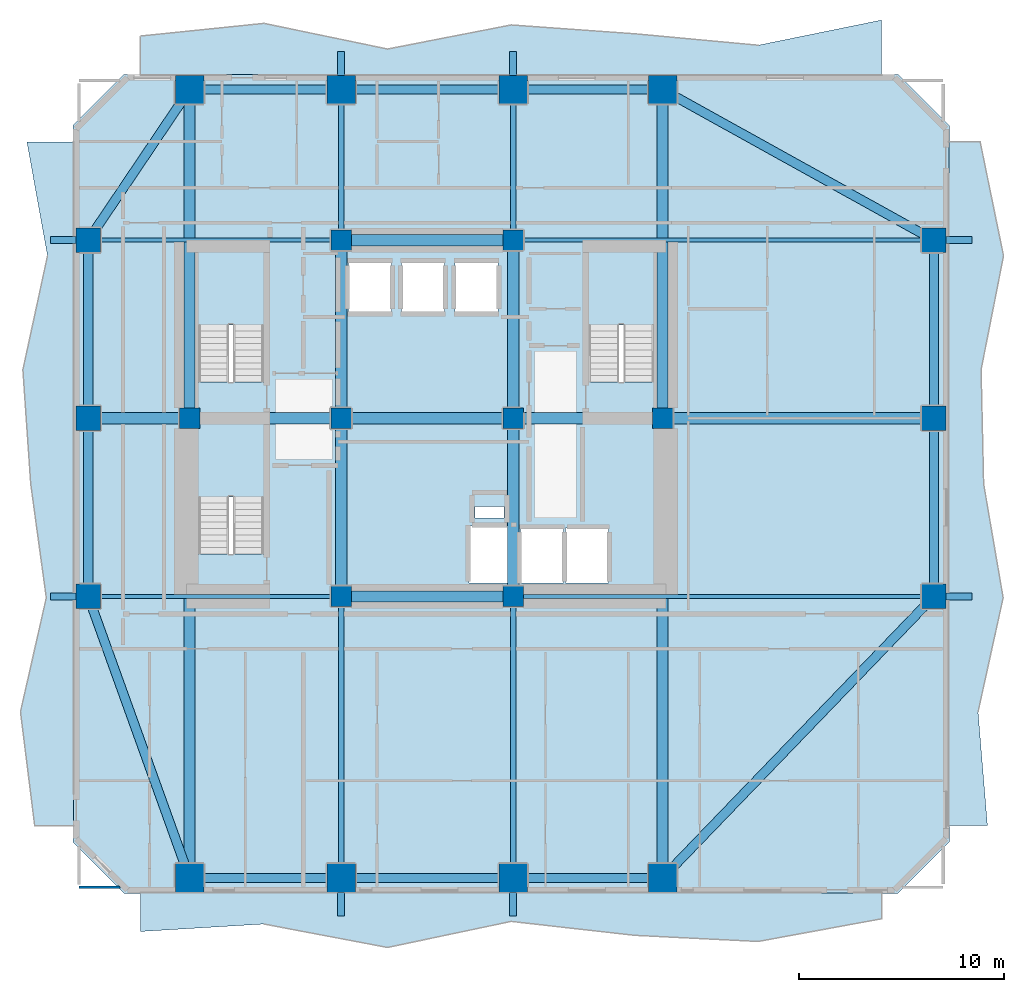
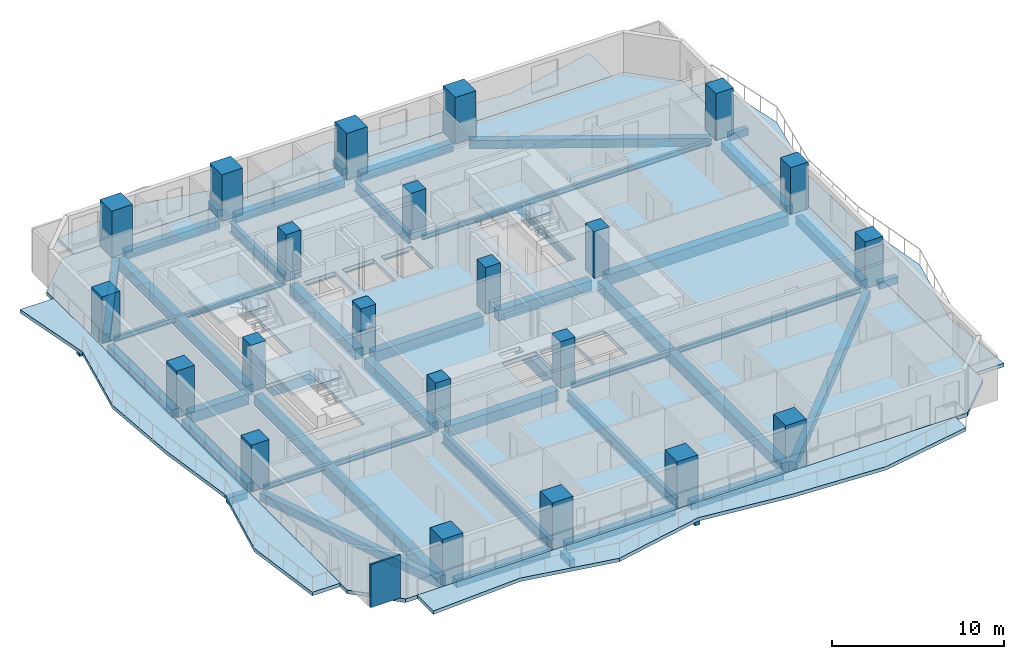
# One storey, part 1 of 10: 45 beams, 22 columns, 8 slabs, 1 wall, 3 elements without a shape of their own.
"""IFC4 building model written with IfcOpenShell, lengths in metres."""

from ifc_helpers import new_model, si_unit, direction, frame, frame_2d, origin, origin_2d, place, context, subcontext, project, spatial, polyline, rectangle, i_section, outline, extrude, material, layer, layer_set, material_profile, profile_set, type_object, element, aggregate, save


model = new_model("IFC4")

# Units and contexts
model_context = context("Model", 3, precision=1e-05, world=origin(), true_north=direction((0.0, 1.0)))
body_context = subcontext(model_context, "Body", "Model", "MODEL_VIEW")
ifc_project = project(units=[si_unit("LENGTHUNIT", "METRE"), si_unit("AREAUNIT", "SQUARE_METRE"), si_unit("VOLUMEUNIT", "CUBIC_METRE"), si_unit("PLANEANGLEUNIT", "RADIAN"), si_unit("MASSUNIT", "GRAM", prefix="KILO")], contexts=[model_context])

# Site, building, storey
site_placement = place(None, origin())
site = spatial("IfcSite", under=ifc_project, at=site_placement, CompositionType="ELEMENT")
building_placement = place(site_placement, origin())
building = spatial("IfcBuilding", under=site, at=building_placement, Name="Solanera Arch Residences", CompositionType="ELEMENT")
storey_placement = place(building_placement, frame((0.0, 0.0, 48.56005859375)))
storey = spatial("IfcBuildingStorey", under=building, at=storey_placement, Name="L13", CompositionType="ELEMENT", Elevation=48.56005859375)

# Columns
ifc_material_1 = material(Name="Concrete C55/67 (f'c = 60 MPa)", Category="concrete")
ifc_material_profile_1 = material_profile(ifc_material_1, rectangle(XDim=1.0, YDim=1.0, at=origin_2d()))
ifc_profile_set_1 = profile_set([ifc_material_profile_1], Name="Concrete C55/67 (f'c = 60 MPa)")
column_type_1 = type_object("IfcColumnType", Name="Structural Column RC-COL-1000X1000", PredefinedType="COLUMN", material=ifc_profile_set_1)
for number, where, z_axis, x_axis, name in (
    (1, (20.800048828125, 22.0, 0.0), (0.0, 0.0, 1.0), (1.0, 0.0, 0.0), "COL-L13-CB-SW"),
    (2, (29.199951171875, 22.0, 0.0), (0.0, 0.0, 1.0), (1.0, 0.0, 0.0), "COL-L13-CB-SE"),
    (3, (20.800048828125, 39.39990234375, 0.0), (0.0, 0.0, 1.0), (1.0, 0.0, 0.0), "COL-L13-CB-NW"),
    (4, (29.199951171875, 39.39990234375, 0.0), (0.0, 0.0, 1.0), (1.0, 0.0, 0.0), "COL-L13-CB-NE"),
    (5, (13.39990234375, 30.699951171875, 0.0), (0.0, 0.0, 1.0), (1.0, 0.0, 0.0), "COL-L13-CB-WW"),
    (6, (36.5, 30.699951171875, 0.0), (0.0, 0.0, 1.0), (1.0, 0.0, 0.0), "COL-L13-CB-EE"),
    (7, (20.800048828125, 30.699951171875, 0.0), (0.0, 0.0, 1.0), (1.0, 0.0, 0.0), "COL-L13-CORE-W"),
    (8, (29.199951171875, 30.699951171875, 0.0), (0.0, 0.0, 1.0), (1.0, 0.0, 0.0), "COL-L13-CORE-E"),
):
    element("IfcColumn", number, at=place(storey_placement, frame(where, z_axis=z_axis, x_axis=x_axis)), inside=storey, type_object=column_type_1, Name=name, PredefinedType="COLUMN", context=body_context, shape_type="SweptSolid", body=[
        extrude(rectangle(XDim=1.0, YDim=1.0, at=origin_2d()), origin(), (0.0, 0.0, 1.0), 3.31982421875),
    ])
ifc_material_2 = material(Name="Concrete C55/67 (f'c = 60 MPa)", Category="concrete")
ifc_material_profile_2 = material_profile(ifc_material_2, rectangle(XDim=1.199951171875, YDim=1.199951171875, at=origin_2d()))
ifc_profile_set_2 = profile_set([ifc_material_profile_2], Name="Concrete C55/67 (f'c = 60 MPa)")
column_type_2 = type_object("IfcColumnType", Name="Structural Column RC-COL-1200X1200", PredefinedType="COLUMN", material=ifc_profile_set_2)
for number, where, z_axis, x_axis, name in (
    (9, (8.449951171875, 22.0, 0.0), (0.0, 0.0, 1.0), (1.0, 0.0, 0.0), "COL-L13-TWR-09"),
    (10, (49.75, 22.0, 0.0), (0.0, 0.0, 1.0), (1.0, 0.0, 0.0), "COL-L13-TWR-10"),
    (11, (8.449951171875, 30.699951171875, 0.0), (0.0, 0.0, 1.0), (1.0, 0.0, 0.0), "COL-L13-TWR-11"),
    (12, (49.75, 30.699951171875, 0.0), (0.0, 0.0, 1.0), (1.0, 0.0, 0.0), "COL-L13-TWR-12"),
    (13, (8.449951171875, 39.39990234375, 0.0), (0.0, 0.0, 1.0), (1.0, 0.0, 0.0), "COL-L13-TWR-13"),
    (14, (49.75, 39.39990234375, 0.0), (0.0, 0.0, 1.0), (1.0, 0.0, 0.0), "COL-L13-TWR-14"),
):
    element("IfcColumn", number, at=place(storey_placement, frame(where, z_axis=z_axis, x_axis=x_axis)), inside=storey, type_object=column_type_2, Name=name, PredefinedType="COLUMN", context=body_context, shape_type="SweptSolid", body=[
        extrude(rectangle(XDim=1.199951171875, YDim=1.199951171875, at=origin_2d()), origin(), (0.0, 0.0, 1.0), 3.31982421875),
    ])
ifc_material_3 = material(Name="Concrete C55/67 (f'c = 60 MPa)", Category="concrete")
ifc_material_profile_3 = material_profile(ifc_material_3, rectangle(XDim=1.39990234375, YDim=1.39990234375, at=origin_2d()))
ifc_profile_set_3 = profile_set([ifc_material_profile_3], Name="Concrete C55/67 (f'c = 60 MPa)")
column_type_3 = type_object("IfcColumnType", Name="Structural Column RC-COL-1400X1400", PredefinedType="COLUMN", material=ifc_profile_set_3)
for number, where, z_axis, x_axis, name in (
    (15, (13.39990234375, 8.25, 0.0), (0.0, 0.0, 1.0), (1.0, 0.0, 0.0), "COL-L13-TWR-01"),
    (16, (13.39990234375, 46.75, 0.0), (0.0, 0.0, 1.0), (1.0, 0.0, 0.0), "COL-L13-TWR-02"),
    (17, (20.800048828125, 8.25, 0.0), (0.0, 0.0, 1.0), (1.0, 0.0, 0.0), "COL-L13-TWR-03"),
    (18, (20.800048828125, 46.75, 0.0), (0.0, 0.0, 1.0), (1.0, 0.0, 0.0), "COL-L13-TWR-04"),
    (19, (29.199951171875, 8.25, 0.0), (0.0, 0.0, 1.0), (1.0, 0.0, 0.0), "COL-L13-TWR-05"),
    (20, (29.199951171875, 46.75, 0.0), (0.0, 0.0, 1.0), (1.0, 0.0, 0.0), "COL-L13-TWR-06"),
    (21, (36.5, 8.25, 0.0), (0.0, 0.0, 1.0), (1.0, 0.0, 0.0), "COL-L13-TWR-07"),
    (22, (36.5, 46.75, 0.0), (0.0, 0.0, 1.0), (1.0, 0.0, 0.0), "COL-L13-TWR-08"),
):
    element("IfcColumn", number, at=place(storey_placement, frame(where, z_axis=z_axis, x_axis=x_axis)), inside=storey, type_object=column_type_3, Name=name, PredefinedType="COLUMN", context=body_context, shape_type="SweptSolid", body=[
        extrude(rectangle(XDim=1.39990234375, YDim=1.39990234375, at=origin_2d()), origin(), (0.0, 0.0, 1.0), 3.31982421875),
    ])

# Beams
ifc_material_4 = material(Name="Concrete C40/50 (f'c = 45 MPa)", Category="concrete")
ifc_material_profile_4 = material_profile(ifc_material_4, rectangle(XDim=0.35009765625, YDim=0.5, at=origin_2d()))
ifc_profile_set_4 = profile_set([ifc_material_profile_4], Name="Concrete C40/50 (f'c = 45 MPa)")
beam_type_1 = type_object("IfcBeamType", Name="BM-BALC-RIB", PredefinedType="BEAM", material=ifc_profile_set_4)
for number, where, z_axis, x_axis, name in (
    (23, (20.800048828125, 6.39990234375, -0.5), (0.0, 1.0, 0.0), (-1.0, 0.0, 0.0), "BM-L13-BRIB-S1"),
    (24, (29.199951171875, 6.39990234375, -0.5), (0.0, 1.0, 0.0), (-1.0, 0.0, 0.0), "BM-L13-BRIB-S2"),
    (25, (20.800048828125, 47.449951171875, -0.5), (0.0, 1.0, 0.0), (-1.0, 0.0, 0.0), "BM-L13-BRIB-N1"),
    (26, (29.199951171875, 47.449951171875, -0.5), (0.0, 1.0, 0.0), (-1.0, 0.0, 0.0), "BM-L13-BRIB-N2"),
):
    element("IfcBeam", number, at=place(storey_placement, frame(where, z_axis=z_axis, x_axis=x_axis)), inside=storey, type_object=beam_type_1, Name=name, PredefinedType="BEAM", context=body_context, shape_type="SweptSolid", body=[
        extrude(rectangle(XDim=0.35009765625, YDim=0.5, at=origin_2d()), origin(), (0.0, 0.0, 1.0), 1.150146484375),
    ])
for number, where, z_axis, x_axis, name in (
    (27, (50.35009765625, 22.0, -0.5), (1.0, 0.0, 0.0), (0.0, 1.0, 0.0), "BM-L13-BRIB-E1"),
    (28, (50.35009765625, 39.39990234375, -0.5), (1.0, 0.0, 0.0), (0.0, 1.0, 0.0), "BM-L13-BRIB-E2"),
    (29, (6.60009765625, 22.0, -0.5), (1.0, 0.0, 0.0), (0.0, 1.0, 0.0), "BM-L13-BRIB-W1"),
    (30, (6.60009765625, 39.39990234375, -0.5), (1.0, 0.0, 0.0), (0.0, 1.0, 0.0), "BM-L13-BRIB-W2"),
):
    element("IfcBeam", number, at=place(storey_placement, frame(where, z_axis=z_axis, x_axis=x_axis)), inside=storey, type_object=beam_type_1, Name=name, PredefinedType="BEAM", context=body_context, shape_type="SweptSolid", body=[
        extrude(rectangle(XDim=0.35009765625, YDim=0.5, at=origin_2d()), origin(), (0.0, 0.0, 1.0), 1.25),
    ])
ifc_material_5 = material(Name="Concrete C40/50 (f'c = 45 MPa)", Category="concrete")
ifc_material_profile_5 = material_profile(ifc_material_5, rectangle(XDim=0.550048828125, YDim=0.75, at=origin_2d()))
ifc_profile_set_5 = profile_set([ifc_material_profile_5], Name="Concrete C40/50 (f'c = 45 MPa)")
beam_type_2 = type_object("IfcBeamType", Name="Primary Beam RC-BM-550X750", PredefinedType="BEAM", material=ifc_profile_set_5)
beam_1_placement = place(storey_placement, frame((20.800048828125, 22.50390625, -0.635009765625), z_axis=(0.0, 1.0, 0.0), x_axis=(-1.0, 0.0, 0.0)))
element("IfcBeam", 31, at=beam_1_placement, inside=storey, type_object=beam_type_2, Name="BM-L13-CC-S-208", PredefinedType="BEAM", context=body_context, shape_type="SweptSolid", body=[
    extrude(rectangle(XDim=0.550048828125, YDim=0.75, at=origin_2d()), origin(), (0.0, 0.0, 1.0), 7.692138671875),
])
beam_2_placement = place(storey_placement, frame((20.800048828125, 31.2041015625, -0.635009765625), z_axis=(0.0, 1.0, 0.0), x_axis=(-1.0, 0.0, 0.0)))
element("IfcBeam", 32, at=beam_2_placement, inside=storey, type_object=beam_type_2, Name="BM-L13-CC-N-208", PredefinedType="BEAM", context=body_context, shape_type="SweptSolid", body=[
    extrude(rectangle(XDim=0.550048828125, YDim=0.75, at=origin_2d()), origin(), (0.0, 0.0, 1.0), 7.69189453125),
])
beam_3_placement = place(storey_placement, frame((29.199951171875, 22.50390625, -0.635009765625), z_axis=(0.0, 1.0, 0.0), x_axis=(-1.0, 0.0, 0.0)))
element("IfcBeam", 33, at=beam_3_placement, inside=storey, type_object=beam_type_2, Name="BM-L13-CC-S-292", PredefinedType="BEAM", context=body_context, shape_type="SweptSolid", body=[
    extrude(rectangle(XDim=0.550048828125, YDim=0.75, at=origin_2d()), origin(), (0.0, 0.0, 1.0), 7.692138671875),
])
beam_4_placement = place(storey_placement, frame((29.199951171875, 31.2041015625, -0.635009765625), z_axis=(0.0, 1.0, 0.0), x_axis=(-1.0, 0.0, 0.0)))
element("IfcBeam", 34, at=beam_4_placement, inside=storey, type_object=beam_type_2, Name="BM-L13-CC-N-292", PredefinedType="BEAM", context=body_context, shape_type="SweptSolid", body=[
    extrude(rectangle(XDim=0.550048828125, YDim=0.75, at=origin_2d()), origin(), (0.0, 0.0, 1.0), 7.69189453125),
])
for number, where, z_axis, x_axis, name in (
    (35, (21.303955078125, 22.0, -0.635009765625), (1.0, 0.0, 0.0), (0.0, 1.0, 0.0), "BM-L13-CC-M-220"),
    (36, (21.303955078125, 30.699951171875, -0.635009765625), (1.0, 0.0, 0.0), (0.0, 1.0, 0.0), "BM-L13-CC-M-307"),
    (37, (21.303955078125, 39.39990234375, -0.635009765625), (1.0, 0.0, 0.0), (0.0, 1.0, 0.0), "BM-L13-CC-M-394"),
):
    element("IfcBeam", number, at=place(storey_placement, frame(where, z_axis=z_axis, x_axis=x_axis)), inside=storey, type_object=beam_type_2, Name=name, PredefinedType="BEAM", context=body_context, shape_type="SweptSolid", body=[
        extrude(rectangle(XDim=0.550048828125, YDim=0.75, at=origin_2d()), origin(), (0.0, 0.0, 1.0), 7.39208984375),
    ])
beam_5_placement = place(storey_placement, frame((13.904052734375, 30.699951171875, -0.635009765625), z_axis=(1.0, 0.0, 0.0), x_axis=(0.0, 1.0, 0.0)))
element("IfcBeam", 38, at=beam_5_placement, inside=storey, type_object=beam_type_2, Name="BM-L13-CC-W", PredefinedType="BEAM", context=body_context, shape_type="SweptSolid", body=[
    extrude(rectangle(XDim=0.550048828125, YDim=0.75, at=origin_2d()), origin(), (0.0, 0.0, 1.0), 6.391845703125),
])
beam_6_placement = place(storey_placement, frame((29.7041015625, 30.699951171875, -0.635009765625), z_axis=(1.0, 0.0, 0.0), x_axis=(0.0, 1.0, 0.0)))
element("IfcBeam", 39, at=beam_6_placement, inside=storey, type_object=beam_type_2, Name="BM-L13-CC-E", PredefinedType="BEAM", context=body_context, shape_type="SweptSolid", body=[
    extrude(rectangle(XDim=0.550048828125, YDim=0.75, at=origin_2d()), origin(), (0.0, 0.0, 1.0), 6.2919921875),
])
beam_7_placement = place(storey_placement, frame((13.39990234375, 8.7900390625, -0.635009765625), z_axis=(0.0, 1.0, 0.0), x_axis=(-1.0, 0.0, 0.0)))
element("IfcBeam", 40, at=beam_7_placement, inside=storey, type_object=beam_type_2, Name="BM-L13-RAD-OS-134", PredefinedType="BEAM", context=body_context, shape_type="SweptSolid", body=[
    extrude(rectangle(XDim=0.550048828125, YDim=0.75, at=origin_2d()), origin(), (0.0, 0.0, 1.0), 21.406005859375),
])
beam_8_placement = place(storey_placement, frame((13.39990234375, 31.2041015625, -0.635009765625), z_axis=(0.0, 1.0, 0.0), x_axis=(-1.0, 0.0, 0.0)))
element("IfcBeam", 41, at=beam_8_placement, inside=storey, type_object=beam_type_2, Name="BM-L13-RAD-ON-134", PredefinedType="BEAM", context=body_context, shape_type="SweptSolid", body=[
    extrude(rectangle(XDim=0.550048828125, YDim=0.75, at=origin_2d()), origin(), (0.0, 0.0, 1.0), 15.005859375),
])
beam_9_placement = place(storey_placement, frame((36.5, 8.7900390625, -0.635009765625), z_axis=(0.0, 1.0, 0.0), x_axis=(-1.0, 0.0, 0.0)))
element("IfcBeam", 42, at=beam_9_placement, inside=storey, type_object=beam_type_2, Name="BM-L13-RAD-OS-365", PredefinedType="BEAM", context=body_context, shape_type="SweptSolid", body=[
    extrude(rectangle(XDim=0.550048828125, YDim=0.75, at=origin_2d()), origin(), (0.0, 0.0, 1.0), 21.406005859375),
])
beam_10_placement = place(storey_placement, frame((36.5, 31.2041015625, -0.635009765625), z_axis=(0.0, 1.0, 0.0), x_axis=(-1.0, 0.0, 0.0)))
element("IfcBeam", 43, at=beam_10_placement, inside=storey, type_object=beam_type_2, Name="BM-L13-RAD-ON-365", PredefinedType="BEAM", context=body_context, shape_type="SweptSolid", body=[
    extrude(rectangle(XDim=0.550048828125, YDim=0.75, at=origin_2d()), origin(), (0.0, 0.0, 1.0), 15.005859375),
])
beam_11_placement = place(storey_placement, frame((8.989990234375, 30.699951171875, -0.635009765625), z_axis=(1.0, 0.0, 0.0), x_axis=(0.0, 1.0, 0.0)))
element("IfcBeam", 44, at=beam_11_placement, inside=storey, type_object=beam_type_2, Name="BM-L13-RAD-MW", PredefinedType="BEAM", context=body_context, shape_type="SweptSolid", body=[
    extrude(rectangle(XDim=0.550048828125, YDim=0.75, at=origin_2d()), origin(), (0.0, 0.0, 1.0), 3.906005859375),
])
beam_12_placement = place(storey_placement, frame((37.00390625, 30.699951171875, -0.635009765625), z_axis=(1.0, 0.0, 0.0), x_axis=(0.0, 1.0, 0.0)))
element("IfcBeam", 45, at=beam_12_placement, inside=storey, type_object=beam_type_2, Name="BM-L13-RAD-ME", PredefinedType="BEAM", context=body_context, shape_type="SweptSolid", body=[
    extrude(rectangle(XDim=0.550048828125, YDim=0.75, at=origin_2d()), origin(), (0.0, 0.0, 1.0), 12.2060546875),
])
ifc_material_6 = material(Name="Steel S355 (ASTM A992 / A572 Grade 50)", Category="steel")
ifc_material_profile_6 = material_profile(ifc_material_6, i_section(OverallWidth=0.26806640625, OverallDepth=0.77001953125, WebThickness=0.015625, FlangeThickness=0.025390625, at=origin_2d()))
ifc_profile_set_6 = profile_set([ifc_material_profile_6], Name="Steel S355 (ASTM A992 / A572 Grade 50)")
beam_type_3 = type_object("IfcBeamType", Name="Primary Beam W760X196", PredefinedType="BEAM", material=ifc_profile_set_6)
beam_13_placement = place(storey_placement, frame((20.800048828125, 8.7900390625, -0.64501953125), z_axis=(0.0, 1.0, 0.0), x_axis=(-1.0, 0.0, 0.0)))
element("IfcBeam", 46, at=beam_13_placement, inside=storey, type_object=beam_type_3, Name="BM-L13-RAD-S-208", PredefinedType="BEAM", context=body_context, shape_type="SweptSolid", body=[
    extrude(i_section(OverallWidth=0.26806640625, OverallDepth=0.77001953125, WebThickness=0.015625, FlangeThickness=0.025390625, at=origin_2d()), origin(), (0.0, 0.0, 1.0), 12.7060546875),
])
beam_14_placement = place(storey_placement, frame((20.800048828125, 39.904052734375, -0.64501953125), z_axis=(0.0, 1.0, 0.0), x_axis=(-1.0, 0.0, 0.0)))
element("IfcBeam", 47, at=beam_14_placement, inside=storey, type_object=beam_type_3, Name="BM-L13-RAD-N-208", PredefinedType="BEAM", context=body_context, shape_type="SweptSolid", body=[
    extrude(i_section(OverallWidth=0.26806640625, OverallDepth=0.77001953125, WebThickness=0.015625, FlangeThickness=0.025390625, at=origin_2d()), origin(), (0.0, 0.0, 1.0), 6.305908203125),
])
beam_15_placement = place(storey_placement, frame((29.199951171875, 8.7900390625, -0.64501953125), z_axis=(0.0, 1.0, 0.0), x_axis=(-1.0, 0.0, 0.0)))
element("IfcBeam", 48, at=beam_15_placement, inside=storey, type_object=beam_type_3, Name="BM-L13-RAD-S-292", PredefinedType="BEAM", context=body_context, shape_type="SweptSolid", body=[
    extrude(i_section(OverallWidth=0.26806640625, OverallDepth=0.77001953125, WebThickness=0.015625, FlangeThickness=0.025390625, at=origin_2d()), origin(), (0.0, 0.0, 1.0), 12.7060546875),
])
beam_16_placement = place(storey_placement, frame((29.199951171875, 39.904052734375, -0.64501953125), z_axis=(0.0, 1.0, 0.0), x_axis=(-1.0, 0.0, 0.0)))
element("IfcBeam", 49, at=beam_16_placement, inside=storey, type_object=beam_type_3, Name="BM-L13-RAD-N-292", PredefinedType="BEAM", context=body_context, shape_type="SweptSolid", body=[
    extrude(i_section(OverallWidth=0.26806640625, OverallDepth=0.77001953125, WebThickness=0.015625, FlangeThickness=0.025390625, at=origin_2d()), origin(), (0.0, 0.0, 1.0), 6.305908203125),
])
ifc_material_7 = material(Name="Steel S355 (ASTM A992 / A572 Grade 50)", Category="steel")
ifc_material_profile_7 = material_profile(ifc_material_7, i_section(OverallWidth=0.205078125, OverallDepth=0.35400390625, WebThickness=0.009521484375, FlangeThickness=0.016845703125, at=origin_2d()))
ifc_profile_set_7 = profile_set([ifc_material_profile_7], Name="Steel S355 (ASTM A992 / A572 Grade 50)")
beam_type_4 = type_object("IfcBeamType", Name="Secondary Joist W360X79", PredefinedType="JOIST", material=ifc_profile_set_7)
beam_17_placement = place(storey_placement, frame((8.989990234375, 22.0, -0.43701171875), z_axis=(1.0, 0.0, 0.0), x_axis=(0.0, 1.0, 0.0)))
element("IfcBeam", 50, at=beam_17_placement, inside=storey, type_object=beam_type_4, Name="BM-L13-RAD-W-220", PredefinedType="JOIST", context=body_context, shape_type="SweptSolid", body=[
    extrude(i_section(OverallWidth=0.205078125, OverallDepth=0.35400390625, WebThickness=0.009521484375, FlangeThickness=0.016845703125, at=origin_2d()), origin(), (0.0, 0.0, 1.0), 11.305908203125),
])
beam_18_placement = place(storey_placement, frame((29.7041015625, 22.0, -0.43701171875), z_axis=(1.0, 0.0, 0.0), x_axis=(0.0, 1.0, 0.0)))
element("IfcBeam", 51, at=beam_18_placement, inside=storey, type_object=beam_type_4, Name="BM-L13-RAD-E-220", PredefinedType="JOIST", context=body_context, shape_type="SweptSolid", body=[
    extrude(i_section(OverallWidth=0.205078125, OverallDepth=0.35400390625, WebThickness=0.009521484375, FlangeThickness=0.016845703125, at=origin_2d()), origin(), (0.0, 0.0, 1.0), 19.505859375),
])
beam_19_placement = place(storey_placement, frame((8.989990234375, 39.39990234375, -0.43701171875), z_axis=(1.0, 0.0, 0.0), x_axis=(0.0, 1.0, 0.0)))
element("IfcBeam", 52, at=beam_19_placement, inside=storey, type_object=beam_type_4, Name="BM-L13-RAD-W-394", PredefinedType="JOIST", context=body_context, shape_type="SweptSolid", body=[
    extrude(i_section(OverallWidth=0.205078125, OverallDepth=0.35400390625, WebThickness=0.009521484375, FlangeThickness=0.016845703125, at=origin_2d()), origin(), (0.0, 0.0, 1.0), 11.305908203125),
])
beam_20_placement = place(storey_placement, frame((29.7041015625, 39.39990234375, -0.43701171875), z_axis=(1.0, 0.0, 0.0), x_axis=(0.0, 1.0, 0.0)))
element("IfcBeam", 53, at=beam_20_placement, inside=storey, type_object=beam_type_4, Name="BM-L13-RAD-E-394", PredefinedType="JOIST", context=body_context, shape_type="SweptSolid", body=[
    extrude(i_section(OverallWidth=0.205078125, OverallDepth=0.35400390625, WebThickness=0.009521484375, FlangeThickness=0.016845703125, at=origin_2d()), origin(), (0.0, 0.0, 1.0), 19.505859375),
])
ifc_material_8 = material(Name="Concrete C40/50 (f'c = 45 MPa)", Category="concrete")
ifc_material_profile_8 = material_profile(ifc_material_8, rectangle(XDim=0.449951171875, YDim=0.60009765625, at=origin_2d()))
ifc_profile_set_8 = profile_set([ifc_material_profile_8], Name="Concrete C40/50 (f'c = 45 MPa)")
beam_type_5 = type_object("IfcBeamType", Name="Spandrel Beam RC-BM-450X600", PredefinedType="SPANDREL", material=ifc_profile_set_8)
for number, where, z_axis, x_axis, name in (
    (54, (13.93994140625, 8.25, -0.56005859375), (1.0, 0.0, 0.0), (0.0, 1.0, 0.0), "BM-L13-SPN-S-1"),
    (55, (13.93994140625, 46.75, -0.56005859375), (1.0, 0.0, 0.0), (0.0, 1.0, 0.0), "BM-L13-SPN-N-1"),
):
    element("IfcBeam", number, at=place(storey_placement, frame(where, z_axis=z_axis, x_axis=x_axis)), inside=storey, type_object=beam_type_5, Name=name, PredefinedType="SPANDREL", context=body_context, shape_type="SweptSolid", body=[
        extrude(rectangle(XDim=0.449951171875, YDim=0.60009765625, at=origin_2d()), origin(), (0.0, 0.0, 1.0), 6.320068359375),
    ])
for number, where, z_axis, x_axis, name in (
    (56, (21.340087890625, 8.25, -0.56005859375), (1.0, 0.0, 0.0), (0.0, 1.0, 0.0), "BM-L13-SPN-S-2"),
    (57, (21.340087890625, 46.75, -0.56005859375), (1.0, 0.0, 0.0), (0.0, 1.0, 0.0), "BM-L13-SPN-N-2"),
):
    element("IfcBeam", number, at=place(storey_placement, frame(where, z_axis=z_axis, x_axis=x_axis)), inside=storey, type_object=beam_type_5, Name=name, PredefinedType="SPANDREL", context=body_context, shape_type="SweptSolid", body=[
        extrude(rectangle(XDim=0.449951171875, YDim=0.60009765625, at=origin_2d()), origin(), (0.0, 0.0, 1.0), 7.31982421875),
    ])
for number, where, z_axis, x_axis, name in (
    (58, (29.739990234375, 8.25, -0.56005859375), (1.0, 0.0, 0.0), (0.0, 1.0, 0.0), "BM-L13-SPN-S-3"),
    (59, (29.739990234375, 46.75, -0.56005859375), (1.0, 0.0, 0.0), (0.0, 1.0, 0.0), "BM-L13-SPN-N-3"),
):
    element("IfcBeam", number, at=place(storey_placement, frame(where, z_axis=z_axis, x_axis=x_axis)), inside=storey, type_object=beam_type_5, Name=name, PredefinedType="SPANDREL", context=body_context, shape_type="SweptSolid", body=[
        extrude(rectangle(XDim=0.449951171875, YDim=0.60009765625, at=origin_2d()), origin(), (0.0, 0.0, 1.0), 6.219970703125),
    ])
for number, where, z_axis, x_axis, name in (
    (60, (8.449951171875, 22.5400390625, -0.56005859375), (0.0, 1.0, 0.0), (-1.0, 0.0, 0.0), "BM-L13-SPN-W-1"),
    (61, (49.75, 22.5400390625, -0.56005859375), (0.0, 1.0, 0.0), (-1.0, 0.0, 0.0), "BM-L13-SPN-E-1"),
):
    element("IfcBeam", number, at=place(storey_placement, frame(where, z_axis=z_axis, x_axis=x_axis)), inside=storey, type_object=beam_type_5, Name=name, PredefinedType="SPANDREL", context=body_context, shape_type="SweptSolid", body=[
        extrude(rectangle(XDim=0.449951171875, YDim=0.60009765625, at=origin_2d()), origin(), (0.0, 0.0, 1.0), 7.619873046875),
    ])
for number, where, z_axis, x_axis, name in (
    (62, (8.449951171875, 31.239990234375, -0.56005859375), (0.0, 1.0, 0.0), (-1.0, 0.0, 0.0), "BM-L13-SPN-W-2"),
    (63, (49.75, 31.239990234375, -0.56005859375), (0.0, 1.0, 0.0), (-1.0, 0.0, 0.0), "BM-L13-SPN-E-2"),
):
    element("IfcBeam", number, at=place(storey_placement, frame(where, z_axis=z_axis, x_axis=x_axis)), inside=storey, type_object=beam_type_5, Name=name, PredefinedType="SPANDREL", context=body_context, shape_type="SweptSolid", body=[
        extrude(rectangle(XDim=0.449951171875, YDim=0.60009765625, at=origin_2d()), origin(), (0.0, 0.0, 1.0), 7.6201171875),
    ])
beam_21_placement = place(storey_placement, frame((13.217041015625, 8.758056640625, -0.56005859375), z_axis=(-0.338705414976, 0.940892470937, 0.0), x_axis=(-0.940892470937, -0.338705414976, 0.0)))
element("IfcBeam", 64, at=beam_21_placement, inside=storey, type_object=beam_type_5, Name="BM-L13-SPN-SW", PredefinedType="SPANDREL", context=body_context, shape_type="SweptSolid", body=[
    extrude(rectangle(XDim=0.449951171875, YDim=0.60009765625, at=origin_2d()), origin(), (0.0, 0.0, 1.0), 13.533935546875),
])
beam_22_placement = place(storey_placement, frame((13.097900390625, 46.302001953125, -0.56005859375), z_axis=(-0.558539143669, -0.829478164263, 0.0), x_axis=(0.829478164263, -0.558539143669, 0.0)))
element("IfcBeam", 65, at=beam_22_placement, inside=storey, type_object=beam_type_5, Name="BM-L13-SPN-NW", PredefinedType="SPANDREL", context=body_context, shape_type="SweptSolid", body=[
    extrude(rectangle(XDim=0.449951171875, YDim=0.60009765625, at=origin_2d()), origin(), (0.0, 0.0, 1.0), 7.781005859375),
])
beam_23_placement = place(storey_placement, frame((36.875, 8.638916015625, -0.56005859375), z_axis=(0.69388020893, 0.720090449635, 0.0), x_axis=(-0.720090449635, 0.69388020893, 0.0)))
element("IfcBeam", 66, at=beam_23_placement, inside=storey, type_object=beam_type_5, Name="BM-L13-SPN-SE", PredefinedType="SPANDREL", context=body_context, shape_type="SweptSolid", body=[
    extrude(rectangle(XDim=0.449951171875, YDim=0.60009765625, at=origin_2d()), origin(), (0.0, 0.0, 1.0), 18.0146484375),
])
beam_24_placement = place(storey_placement, frame((36.971923828125, 46.488037109375, -0.56005859375), z_axis=(0.874483596047, -0.485055089907, 0.0), x_axis=(0.485055089907, 0.874483596047, 0.0)))
element("IfcBeam", 67, at=beam_24_placement, inside=storey, type_object=beam_type_5, Name="BM-L13-SPN-NE", PredefinedType="SPANDREL", context=body_context, shape_type="SweptSolid", body=[
    extrude(rectangle(XDim=0.449951171875, YDim=0.60009765625, at=origin_2d()), origin(), (0.0, 0.0, 1.0), 14.072509765625),
])

# Slabs
ifc_material_9 = material(Name="Concrete C40/50 (f'c = 45 MPa)", Category="concrete")
ifc_layer_1 = layer(ifc_material_9, 0.25)
ifc_layer_set_1 = layer_set([ifc_layer_1], Name="Concrete C40/50 (f'c = 45 MPa)")
slab_type_1 = type_object("IfcSlabType", Name="Balcony Slab 250", PredefinedType="FLOOR", material=ifc_layer_set_1)
slab_1_placement = place(storey_placement, frame((0.0, 0.0, -0.25)))
element("IfcSlab", 68, at=slab_1_placement, inside=storey, type_object=slab_type_1, Name="L13 S Rippling Brise-Soleil Balcony Slab", PredefinedType="FLOOR", context=body_context, shape_type="SweptSolid", body=[
    extrude(outline(polyline([(11.0, 5.634033203125), (17.032958984375, 6.0), (23.06689453125, 4.85595703125), (29.10009765625, 6.12890625), (35.133056640625, 5.448974609375), (41.1669921875, 5.14990234375), (47.199951171875, 6.258056640625), (47.199951171875, 7.52001953125), (11.0, 7.52001953125), (11.0, 5.634033203125)])), origin(), (0.0, 0.0, 1.0), 0.25),
])
slab_2_placement = place(storey_placement, frame((0.0, 0.0, -0.25)))
element("IfcSlab", 69, at=slab_2_placement, inside=storey, type_object=slab_type_1, Name="L13 N Rippling Brise-Soleil Balcony Slab", PredefinedType="FLOOR", context=body_context, shape_type="SweptSolid", body=[
    extrude(outline(polyline([(47.199951171875, 50.14990234375), (41.1669921875, 48.9189453125), (35.133056640625, 49.47705078125), (29.10009765625, 49.907958984375), (23.06689453125, 48.73193359375), (17.032958984375, 49.986083984375), (11.0, 49.365966796875), (11.0, 47.47998046875), (47.199951171875, 47.47998046875), (47.199951171875, 50.14990234375)])), origin(), (0.0, 0.0, 1.0), 0.25),
])
slab_3_placement = place(storey_placement, frame((0.0, 0.0, -0.25)))
element("IfcSlab", 70, at=slab_3_placement, inside=storey, type_object=slab_type_1, Name="L13 E Rippling Brise-Soleil Balcony Slab", PredefinedType="FLOOR", context=body_context, shape_type="SweptSolid", body=[
    extrude(outline(polyline([(52.365966796875, 10.800048828125), (51.906005859375, 16.366943359375), (53.1298828125, 21.93310546875), (52.177001953125, 27.5), (52.052978515625, 33.06689453125), (53.14892578125, 38.633056640625), (52.008056640625, 44.199951171875), (50.47998046875, 44.199951171875), (50.47998046875, 10.800048828125), (52.365966796875, 10.800048828125)])), origin(), (0.0, 0.0, 1.0), 0.25),
])
slab_4_placement = place(storey_placement, frame((0.0, 0.0, -0.25)))
element("IfcSlab", 71, at=slab_4_placement, inside=storey, type_object=slab_type_1, Name="L13 W Rippling Brise-Soleil Balcony Slab", PredefinedType="FLOOR", context=body_context, shape_type="SweptSolid", body=[
    extrude(outline(polyline([(5.4541015625, 44.199951171875), (6.4599609375, 38.633056640625), (5.258056640625, 33.06689453125), (5.639892578125, 27.5), (6.40087890625, 21.93310546875), (5.14111328125, 16.366943359375), (5.833984375, 10.800048828125), (7.719970703125, 10.800048828125), (7.719970703125, 44.199951171875), (5.4541015625, 44.199951171875)])), origin(), (0.0, 0.0, 1.0), 0.25),
])

# Stair, slab
ifc_material_10 = material(Name="Concrete C40/50 (f'c = 45 MPa)", Category="concrete")
stair_type = type_object("IfcStairType", Name="Tower Dogleg Exit Stair 1480", PredefinedType="HALF_TURN_STAIR", material=ifc_material_10)
stair_1_placement = place(storey_placement, origin())
stair_1 = element("IfcStair", 72, at=stair_1_placement, inside=storey, type_object=stair_type, Name="L13 Tower Core Exit Stair 1", PredefinedType="HALF_TURN_STAIR")
ifc_material_11 = material(Name="Concrete C40/50 (f'c = 45 MPa)", Category="concrete")
ifc_layer_2 = layer(ifc_material_11, 0.199951171875)
ifc_layer_set_2 = layer_set([ifc_layer_2], Name="Concrete C40/50 (f'c = 45 MPa)")
slab_type_2 = type_object("IfcSlabType", Name="Stair Half-Landing Slab 200", PredefinedType="LANDING", material=ifc_layer_set_2)
slab_5_placement = place(storey_placement, frame((0.0, 0.0, 1.4599609375)))
slab_5 = element("IfcSlab", 73, at=slab_5_placement, type_object=slab_type_2, Name="ST-T1 landing 1", PredefinedType="LANDING", context=body_context, shape_type="SweptSolid", body=[
    extrude(outline(polyline([(17.1201171875, 35.260009765625), (17.1201171875, 38.919921875), (13.719970703125, 38.919921875), (13.719970703125, 35.260009765625), (17.1201171875, 35.260009765625)])), origin(), (0.0, 0.0, 1.0), 0.199951171875),
])
aggregate(stair_1, [slab_5])

stair_2_placement = place(storey_placement, origin())
stair_2 = element("IfcStair", 74, at=stair_2_placement, inside=storey, type_object=stair_type, Name="L13 Tower Core Exit Stair 2", PredefinedType="HALF_TURN_STAIR")
slab_6_placement = place(storey_placement, frame((0.0, 0.0, 1.4599609375)))
slab_6 = element("IfcSlab", 75, at=slab_6_placement, type_object=slab_type_2, Name="ST-T2 landing 1", PredefinedType="LANDING", context=body_context, shape_type="SweptSolid", body=[
    extrude(outline(polyline([(36.179931640625, 35.260009765625), (36.179931640625, 38.919921875), (32.780029296875, 38.919921875), (32.780029296875, 35.260009765625), (36.179931640625, 35.260009765625)])), origin(), (0.0, 0.0, 1.0), 0.199951171875),
])
aggregate(stair_2, [slab_6])

stair_3_placement = place(storey_placement, origin())
stair_3 = element("IfcStair", 76, at=stair_3_placement, inside=storey, type_object=stair_type, Name="L13 Tower Core Exit Stair 3", PredefinedType="HALF_TURN_STAIR")
slab_7_placement = place(storey_placement, frame((0.0, 0.0, 1.4599609375)))
slab_7 = element("IfcSlab", 77, at=slab_7_placement, type_object=slab_type_2, Name="ST-T3 landing 1", PredefinedType="LANDING", context=body_context, shape_type="SweptSolid", body=[
    extrude(outline(polyline([(17.1201171875, 26.860107421875), (17.1201171875, 30.52001953125), (13.719970703125, 30.52001953125), (13.719970703125, 26.860107421875), (17.1201171875, 26.860107421875)])), origin(), (0.0, 0.0, 1.0), 0.199951171875),
])
aggregate(stair_3, [slab_7])

# Slab
ifc_material_12 = material(Name="Concrete C40/50 (f'c = 45 MPa)", Category="concrete")
ifc_layer_3 = layer(ifc_material_12, 0.260009765625)
ifc_layer_set_3 = layer_set([ifc_layer_3], Name="Concrete C40/50 (f'c = 45 MPa)")
slab_type_3 = type_object("IfcSlabType", Name="Suspended Floor Slab Post-Tensioned 260", PredefinedType="FLOOR", material=ifc_layer_set_3)
slab_8_placement = place(storey_placement, frame((0.0, 0.0, -0.260009765625)))
element("IfcSlab", 78, at=slab_8_placement, inside=storey, type_object=slab_type_3, Name="L13 Tower Post-Tensioned Floor Slab", PredefinedType="FLOOR", context=body_context, shape_type="SweptSolid", body=[
    extrude(outline(polyline([(10.199951171875, 7.5), (48.0, 7.5), (50.5, 10.0), (50.5, 45.0), (48.0, 47.5), (10.199951171875, 47.5), (7.699951171875, 45.0), (7.699951171875, 10.0), (10.199951171875, 7.5)]), holes=[polyline([(13.840087890625, 32.48291015625), (13.840087890625, 38.800048828125), (17.0, 38.800048828125), (17.0, 32.48291015625), (13.840087890625, 32.48291015625)]), polyline([(32.89990234375, 32.48291015625), (32.89990234375, 38.800048828125), (36.06005859375, 38.800048828125), (36.06005859375, 32.48291015625), (32.89990234375, 32.48291015625)]), polyline([(13.840087890625, 24.0830078125), (13.840087890625, 30.39990234375), (17.0, 30.39990234375), (17.0, 24.0830078125), (13.840087890625, 24.0830078125)]), polyline([(21.14990234375, 38.35009765625), (23.25, 38.35009765625), (23.25, 35.85009765625), (21.14990234375, 35.85009765625), (21.14990234375, 38.35009765625)]), polyline([(23.75, 38.35009765625), (25.85009765625, 38.35009765625), (25.85009765625, 35.85009765625), (23.75, 35.85009765625), (23.75, 38.35009765625)]), polyline([(26.35009765625, 38.35009765625), (28.449951171875, 38.35009765625), (28.449951171875, 35.85009765625), (26.35009765625, 35.85009765625), (26.35009765625, 38.35009765625)]), polyline([(29.550048828125, 25.35009765625), (31.64990234375, 25.35009765625), (31.64990234375, 22.64990234375), (29.550048828125, 22.64990234375), (29.550048828125, 25.35009765625)]), polyline([(31.75, 25.35009765625), (33.85009765625, 25.35009765625), (33.85009765625, 22.64990234375), (31.75, 22.64990234375), (31.75, 25.35009765625)]), polyline([(27.050048828125, 25.449951171875), (29.35009765625, 25.449951171875), (29.35009765625, 22.64990234375), (27.050048828125, 22.64990234375), (27.050048828125, 25.449951171875)]), polyline([(27.340087890625, 26.3798828125), (28.760009765625, 26.3798828125), (28.760009765625, 25.820068359375), (27.340087890625, 25.820068359375), (27.340087890625, 26.3798828125)])]), origin(), (0.0, 0.0, 1.0), 0.260009765625),
])

# Wall
ifc_material_13 = material(Name="Fire-Rated Gypsum Stud Partition", Category="gypsum")
ifc_layer_4 = layer(ifc_material_13, 0.1201171875)
ifc_layer_set_4 = layer_set([ifc_layer_4], Name="Fire-Rated Gypsum Stud Partition")
wall_type = type_object("IfcWallType", Name="Unit Drywall Partition 120", PredefinedType="PARTITIONING", material=ifc_layer_set_4)
wall_placement = place(storey_placement, frame((8.0, 7.800048828125, 0.0), z_axis=(0.0, 0.0, 1.0), x_axis=(1.0, 0.0, 0.0)))
element("IfcWall", 79, at=wall_placement, inside=storey, type_object=wall_type, Name="L13 Interior Partition H20 1", PredefinedType="PARTITIONING", context=body_context, shape_type="SweptSolid", body=[
    extrude(rectangle(XDim=2.0009765625, YDim=0.1201171875, at=frame_2d((1.00048828125, 0.0))), origin(), (0.0, 0.0, 1.0), 3.06005859375),
])

save(model, "model.ifc")
